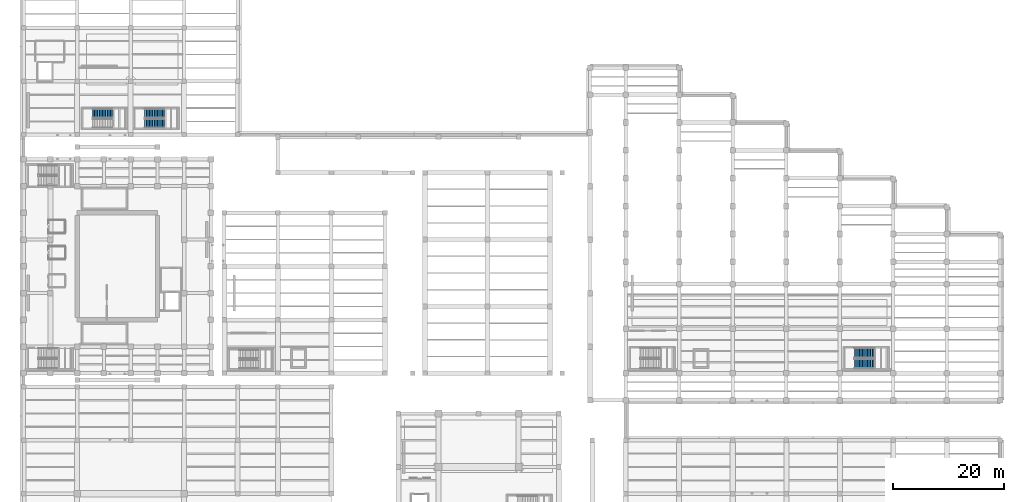
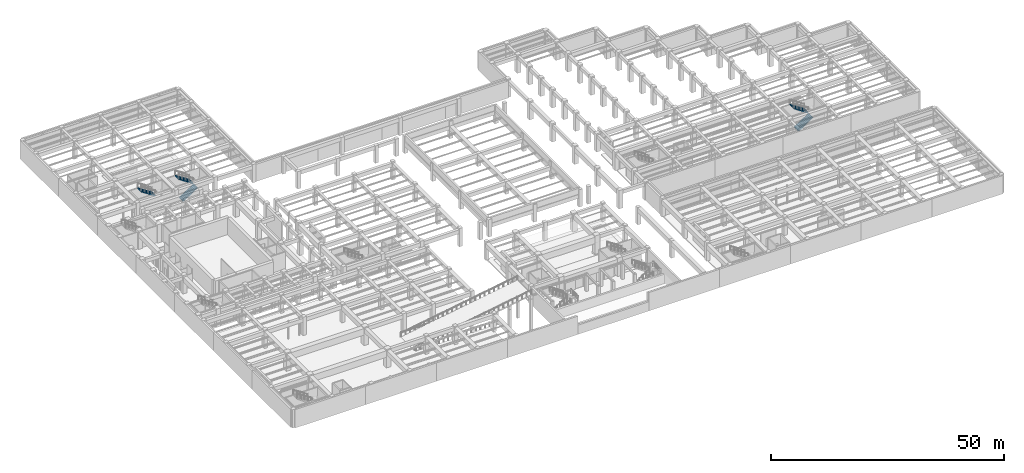
# One storey, part 31 of 45: 5 stair flights, 3 elements without a shape of their own.
"""IFC4 building model written with IfcOpenShell, lengths in metres."""

from ifc_helpers import new_model, si_unit, direction, frame, origin, place, context, subcontext, project, spatial, polyline, outline, extrude, material, type_object, element, aggregate, save


model = new_model("IFC4")

# Units and contexts
model_context = context("Model", 3, precision=1e-05, world=origin(), true_north=direction((0.0, 1.0)))
body_context = subcontext(model_context, "Body", "Model", "MODEL_VIEW")
ifc_project = project(units=[si_unit("LENGTHUNIT", "METRE"), si_unit("AREAUNIT", "SQUARE_METRE"), si_unit("VOLUMEUNIT", "CUBIC_METRE"), si_unit("PLANEANGLEUNIT", "RADIAN"), si_unit("MASSUNIT", "GRAM", prefix="KILO")], contexts=[model_context])

# Site, building, storey
site_placement = place(None, origin())
site = spatial("IfcSite", under=ifc_project, at=site_placement, CompositionType="ELEMENT")
building_placement = place(site_placement, origin())
building = spatial("IfcBuilding", under=site, at=building_placement, Name="Mavantir Sound Aquarium", CompositionType="ELEMENT")
storey_placement = place(building_placement, frame((0.0, 0.0, -4.800048828125)))
storey = spatial("IfcBuildingStorey", under=building, at=storey_placement, Name="B1", CompositionType="ELEMENT", Elevation=-4.800048828125)

# Stair, stair flight
ifc_material = material(Name="Concrete C40/50", Category="concrete")
stair_type_1 = type_object("IfcStairType", Name="STR-1650-4800", PredefinedType="HALF_TURN_STAIR", material=ifc_material)
stair_1_placement = place(storey_placement, origin())
stair_1 = element("IfcStair", 1, at=stair_1_placement, inside=storey, type_object=stair_type_1, Name="B1 Protected exit stair ST5", PredefinedType="HALF_TURN_STAIR")
stair_flight_type_1 = type_object("IfcStairFlightType", Name="STF-1650-4800", PredefinedType="STRAIGHT", material=ifc_material)
stair_flight_1_placement = place(storey_placement, frame((15.8798828125, 87.425048828125, 2.400146484375), z_axis=(0.0, 0.0, 1.0), x_axis=(-1.0, 0.0, 0.0)))
stair_flight_1 = element("IfcStairFlight", 2, at=stair_flight_1_placement, type_object=stair_flight_type_1, Name="ST5 flight 2", NumberOfRisers=13, NumberOfTreads=12, PredefinedType="STRAIGHT", RiserHeight=0.184615385, TreadLength=0.29, context=body_context, shape_type="SweptSolid", body=[
    extrude(outline(polyline([(-0.044921875, -0.139892578125), (-0.044921875, 0.0), (0.0, 0.0), (0.0, 0.1845703125), (0.2900390625, 0.1845703125), (0.2900390625, 0.369140625), (0.580078125, 0.369140625), (0.580078125, 0.553955078125), (0.8701171875, 0.553955078125), (0.8701171875, 0.738525390625), (1.159912109375, 0.738525390625), (1.159912109375, 0.923095703125), (1.449951171875, 0.923095703125), (1.449951171875, 1.107666015625), (1.739990234375, 1.107666015625), (1.739990234375, 1.292236328125), (2.030029296875, 1.292236328125), (2.030029296875, 1.476806640625), (2.320068359375, 1.476806640625), (2.320068359375, 1.66162109375), (2.610107421875, 1.66162109375), (2.610107421875, 1.84619140625), (2.89990234375, 1.84619140625), (2.89990234375, 2.03076171875), (3.18994140625, 2.03076171875), (3.18994140625, 2.21533203125), (3.47998046875, 2.21533203125), (3.47998046875, 2.39990234375), (3.52490234375, 2.39990234375), (3.52490234375, 2.080078125), (3.47998046875, 2.080078125), (0.212646484375, -0.139892578125), (-0.044921875, -0.139892578125)])), frame((0.0, 0.824951171875, 0.0), z_axis=(0.0, -1.0, 0.0), x_axis=(1.0, 0.0, 0.0)), (0.0, 0.0, 1.0), 1.64990234375),
])
aggregate(stair_1, [stair_flight_1])

# Stair, stair flights
stair_2_placement = place(storey_placement, origin())
stair_2 = element("IfcStair", 3, at=stair_2_placement, inside=storey, type_object=stair_type_1, Name="B1 Protected exit stair ST7", PredefinedType="HALF_TURN_STAIR")
stair_flight_2_placement = place(storey_placement, frame((21.699951171875, 85.625, 0.0), z_axis=(0.0, 0.0, 1.0), x_axis=(1.0, 0.0, 0.0)))
stair_flight_2 = element("IfcStairFlight", 4, at=stair_flight_2_placement, type_object=stair_flight_type_1, Name="ST7 flight 1", NumberOfRisers=13, NumberOfTreads=12, PredefinedType="STRAIGHT", RiserHeight=0.184615385, TreadLength=0.29, context=body_context, shape_type="SweptSolid", body=[
    extrude(outline(polyline([(-0.044921875, -0.139892578125), (-0.044921875, 0.0), (0.0, 0.0), (0.0, 0.1845703125), (0.2900390625, 0.1845703125), (0.2900390625, 0.369140625), (0.580078125, 0.369140625), (0.580078125, 0.553955078125), (0.8701171875, 0.553955078125), (0.8701171875, 0.738525390625), (1.159912109375, 0.738525390625), (1.159912109375, 0.923095703125), (1.449951171875, 0.923095703125), (1.449951171875, 1.107666015625), (1.739990234375, 1.107666015625), (1.739990234375, 1.292236328125), (2.030029296875, 1.292236328125), (2.030029296875, 1.476806640625), (2.320068359375, 1.476806640625), (2.320068359375, 1.66162109375), (2.610107421875, 1.66162109375), (2.610107421875, 1.84619140625), (2.89990234375, 1.84619140625), (2.89990234375, 2.03076171875), (3.18994140625, 2.03076171875), (3.18994140625, 2.21533203125), (3.47998046875, 2.21533203125), (3.47998046875, 2.39990234375), (3.52490234375, 2.39990234375), (3.52490234375, 2.080078125), (3.47998046875, 2.080078125), (0.212646484375, -0.139892578125), (-0.044921875, -0.139892578125)])), frame((0.0, 0.824951171875, 0.0), z_axis=(0.0, -1.0, 0.0), x_axis=(1.0, 0.0, 0.0)), (0.0, 0.0, 1.0), 1.64990234375),
])
stair_flight_3_placement = place(storey_placement, frame((25.179931640625, 87.425048828125, 2.400146484375), z_axis=(0.0, 0.0, 1.0), x_axis=(-1.0, 0.0, 0.0)))
stair_flight_3 = element("IfcStairFlight", 5, at=stair_flight_3_placement, type_object=stair_flight_type_1, Name="ST7 flight 2", NumberOfRisers=13, NumberOfTreads=12, PredefinedType="STRAIGHT", RiserHeight=0.184615385, TreadLength=0.29, context=body_context, shape_type="SweptSolid", body=[
    extrude(outline(polyline([(-0.044921875, -0.139892578125), (-0.044921875, 0.0), (0.0, 0.0), (0.0, 0.1845703125), (0.2900390625, 0.1845703125), (0.2900390625, 0.369140625), (0.580078125, 0.369140625), (0.580078125, 0.553955078125), (0.8701171875, 0.553955078125), (0.8701171875, 0.738525390625), (1.159912109375, 0.738525390625), (1.159912109375, 0.923095703125), (1.449951171875, 0.923095703125), (1.449951171875, 1.107666015625), (1.739990234375, 1.107666015625), (1.739990234375, 1.292236328125), (2.030029296875, 1.292236328125), (2.030029296875, 1.476806640625), (2.320068359375, 1.476806640625), (2.320068359375, 1.66162109375), (2.610107421875, 1.66162109375), (2.610107421875, 1.84619140625), (2.89990234375, 1.84619140625), (2.89990234375, 2.03076171875), (3.18994140625, 2.03076171875), (3.18994140625, 2.21533203125), (3.47998046875, 2.21533203125), (3.47998046875, 2.39990234375), (3.52490234375, 2.39990234375), (3.52490234375, 2.080078125), (3.47998046875, 2.080078125), (0.212646484375, -0.139892578125), (-0.044921875, -0.139892578125)])), frame((0.0, 0.824951171875, 0.0), z_axis=(0.0, -1.0, 0.0), x_axis=(1.0, 0.0, 0.0)), (0.0, 0.0, 1.0), 1.64990234375),
])
aggregate(stair_2, [stair_flight_2, stair_flight_3])

stair_type_2 = type_object("IfcStairType", Name="STR-1800-4800", PredefinedType="HALF_TURN_STAIR", material=ifc_material)
stair_3_placement = place(storey_placement, origin())
stair_3 = element("IfcStair", 6, at=stair_3_placement, inside=storey, type_object=stair_type_2, Name="B1 Protected exit stair ST12", PredefinedType="HALF_TURN_STAIR")
stair_flight_type_2 = type_object("IfcStairFlightType", Name="STF-1800-4800", PredefinedType="STRAIGHT", material=ifc_material)
stair_flight_4_placement = place(storey_placement, frame((149.050048828125, 42.5, 0.0), z_axis=(0.0, 0.0, 1.0), x_axis=(1.0, 0.0, 0.0)))
stair_flight_4 = element("IfcStairFlight", 7, at=stair_flight_4_placement, type_object=stair_flight_type_2, Name="ST12 flight 1", NumberOfRisers=13, NumberOfTreads=12, PredefinedType="STRAIGHT", RiserHeight=0.184615385, TreadLength=0.29, context=body_context, shape_type="SweptSolid", body=[
    extrude(outline(polyline([(-0.044921875, -0.139892578125), (-0.044921875, 0.0), (0.0, 0.0), (0.0, 0.1845703125), (0.2900390625, 0.1845703125), (0.2900390625, 0.369140625), (0.580078125, 0.369140625), (0.580078125, 0.553955078125), (0.8701171875, 0.553955078125), (0.8701171875, 0.738525390625), (1.159912109375, 0.738525390625), (1.159912109375, 0.923095703125), (1.449951171875, 0.923095703125), (1.449951171875, 1.107666015625), (1.739990234375, 1.107666015625), (1.739990234375, 1.292236328125), (2.030029296875, 1.292236328125), (2.030029296875, 1.476806640625), (2.320068359375, 1.476806640625), (2.320068359375, 1.66162109375), (2.610107421875, 1.66162109375), (2.610107421875, 1.84619140625), (2.89990234375, 1.84619140625), (2.89990234375, 2.03076171875), (3.18994140625, 2.03076171875), (3.18994140625, 2.21533203125), (3.47998046875, 2.21533203125), (3.47998046875, 2.39990234375), (3.52490234375, 2.39990234375), (3.52490234375, 2.080078125), (3.47998046875, 2.080078125), (0.212646484375, -0.139892578125), (-0.044921875, -0.139892578125)])), frame((0.0, 0.89990234375, 0.0), z_axis=(0.0, -1.0, 0.0), x_axis=(1.0, 0.0, 0.0)), (0.0, 0.0, 1.0), 1.800048828125),
])
stair_flight_5_placement = place(storey_placement, frame((152.530029296875, 44.449951171875, 2.400146484375), z_axis=(0.0, 0.0, 1.0), x_axis=(-1.0, 0.0, 0.0)))
stair_flight_5 = element("IfcStairFlight", 8, at=stair_flight_5_placement, type_object=stair_flight_type_2, Name="ST12 flight 2", NumberOfRisers=13, NumberOfTreads=12, PredefinedType="STRAIGHT", RiserHeight=0.184615385, TreadLength=0.29, context=body_context, shape_type="SweptSolid", body=[
    extrude(outline(polyline([(-0.044921875, -0.139892578125), (-0.044921875, 0.0), (0.0, 0.0), (0.0, 0.1845703125), (0.2900390625, 0.1845703125), (0.2900390625, 0.369140625), (0.580078125, 0.369140625), (0.580078125, 0.553955078125), (0.8701171875, 0.553955078125), (0.8701171875, 0.738525390625), (1.159912109375, 0.738525390625), (1.159912109375, 0.923095703125), (1.449951171875, 0.923095703125), (1.449951171875, 1.107666015625), (1.739990234375, 1.107666015625), (1.739990234375, 1.292236328125), (2.030029296875, 1.292236328125), (2.030029296875, 1.476806640625), (2.320068359375, 1.476806640625), (2.320068359375, 1.66162109375), (2.610107421875, 1.66162109375), (2.610107421875, 1.84619140625), (2.89990234375, 1.84619140625), (2.89990234375, 2.03076171875), (3.18994140625, 2.03076171875), (3.18994140625, 2.21533203125), (3.47998046875, 2.21533203125), (3.47998046875, 2.39990234375), (3.52490234375, 2.39990234375), (3.52490234375, 2.080078125), (3.47998046875, 2.080078125), (0.212646484375, -0.139892578125), (-0.044921875, -0.139892578125)])), frame((0.0, 0.89990234375, 0.0), z_axis=(0.0, -1.0, 0.0), x_axis=(1.0, 0.0, 0.0)), (0.0, 0.0, 1.0), 1.800048828125),
])
aggregate(stair_3, [stair_flight_4, stair_flight_5])

save(model, "model.ifc")
